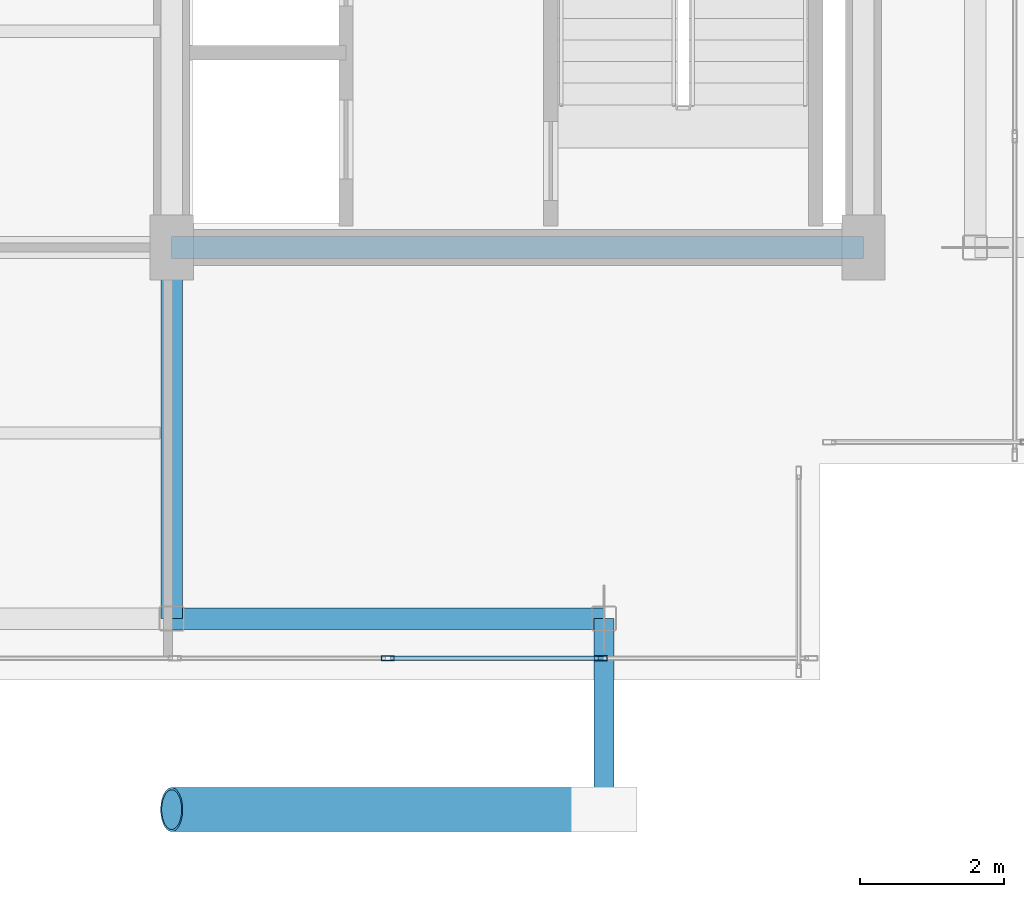
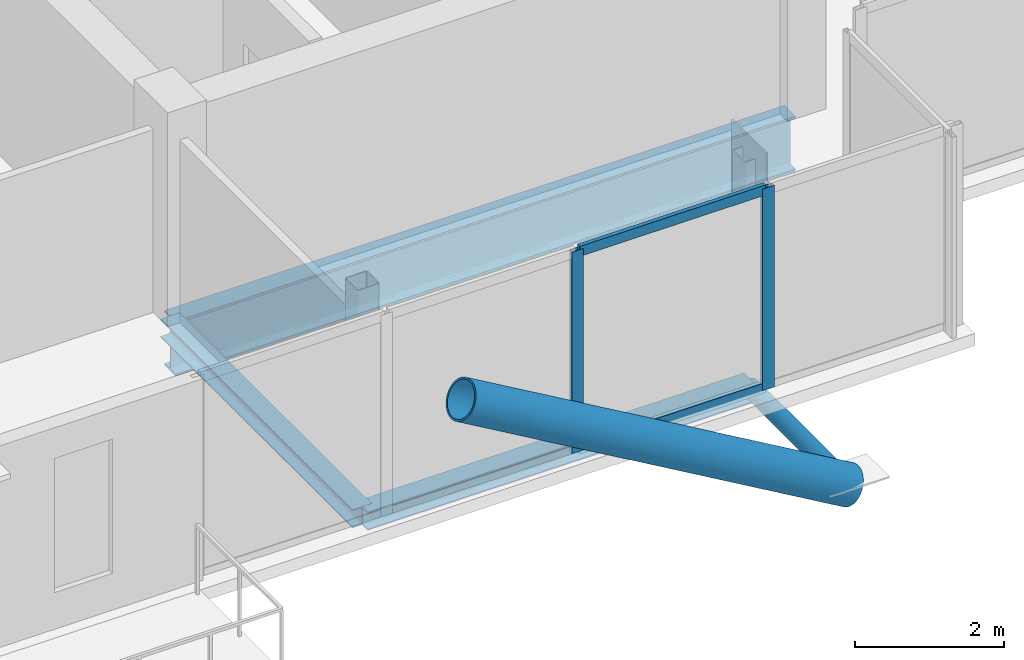
# One storey, part 5 of 18: 6 members, 3 beams, 1 element without a shape of its own.
"""IFC4 building model written with IfcOpenShell, lengths in metres."""

from ifc_helpers import new_model, si_unit, direction, frame, origin, origin_2d, place, context, subcontext, project, spatial, hollow_rectangle, hollow_circle, i_section, extrude, material, layer, layer_set, material_profile, profile_set, type_object, element, aggregate, save


model = new_model("IFC4")

# Units and contexts
model_context = context("Model", 3, precision=1e-05, world=origin(), true_north=direction((0.0, 1.0)))
body_context = subcontext(model_context, "Body", "Model", "MODEL_VIEW")
ifc_project = project(units=[si_unit("LENGTHUNIT", "METRE"), si_unit("AREAUNIT", "SQUARE_METRE"), si_unit("VOLUMEUNIT", "CUBIC_METRE"), si_unit("PLANEANGLEUNIT", "RADIAN"), si_unit("MASSUNIT", "GRAM", prefix="KILO"), si_unit("THERMODYNAMICTEMPERATUREUNIT", "KELVIN"), si_unit("POWERUNIT", "WATT")], contexts=[model_context])

# Site, building, storey
site_placement = place(None, origin())
site = spatial("IfcSite", under=ifc_project, at=site_placement, CompositionType="ELEMENT")
building_placement = place(site_placement, origin())
building = spatial("IfcBuilding", under=site, at=building_placement, Name="Svarakhadi Broadcast Tower", CompositionType="ELEMENT")
storey_placement = place(building_placement, frame((0.0, 0.0, 264.199951171875)))
storey = spatial("IfcBuildingStorey", under=building, at=storey_placement, Name="L66", CompositionType="ELEMENT", Elevation=264.199951171875)

# Curtain wall, members
ifc_material_1 = material(Name="Anodised Bronze Aluminium AA 6063-T6", Category="aluminium")
ifc_layer = layer(ifc_material_1, 0.179931640625)
ifc_layer_set = layer_set([ifc_layer], Name="Anodised Bronze Aluminium AA 6063-T6")
curtain_wall_type = type_object("IfcCurtainWallType", Name="CW_Sys_05", PredefinedType="NOTDEFINED", material=ifc_layer_set)
curtain_wall_placement = place(storey_placement, origin())
curtain_wall = element("IfcCurtainWall", 1, at=curtain_wall_placement, inside=storey, type_object=curtain_wall_type, Name="L66 South Curtain Wall 16", PredefinedType="NOTDEFINED")
ifc_material_profile_1 = material_profile(ifc_material_1, hollow_rectangle(XDim=0.070068359375, YDim=0.179931640625, WallThickness=0.005615234375, at=origin_2d()), Name="ALU MULLION 180x70x6")
ifc_profile_set_1 = profile_set([ifc_material_profile_1], Name="Anodised Bronze Aluminium AA 6063-T6")
member_type_1 = type_object("IfcMemberType", Name="CW_Sys_05_Mul", PredefinedType="MULLION", material=ifc_profile_set_1)
member_1_placement = place(storey_placement, frame((29.955078125, 0.300048828125, 0.0), z_axis=(0.0, 0.0, 1.0), x_axis=(0.0, -1.0, 0.0)))
member_1 = element("IfcMember", 2, at=member_1_placement, type_object=member_type_1, Name="CW-05 mullion 2", PredefinedType="MULLION", context=body_context, shape_type="SweptSolid", body=[
    extrude(hollow_rectangle(XDim=0.070068359375, YDim=0.179931640625, WallThickness=0.005615234375, at=origin_2d()), origin(), (0.0, 0.0, 1.0), 3.300048828125),
])
member_2_placement = place(storey_placement, frame((27.0, 0.300048828125, 0.0), z_axis=(0.0, 0.0, 1.0), x_axis=(0.0, -1.0, 0.0)))
member_2 = element("IfcMember", 3, at=member_2_placement, type_object=member_type_1, Name="CW-05 mullion 3", PredefinedType="MULLION", context=body_context, shape_type="SweptSolid", body=[
    extrude(hollow_rectangle(XDim=0.070068359375, YDim=0.179931640625, WallThickness=0.005615234375, at=origin_2d()), origin(), (0.0, 0.0, 1.0), 3.300048828125),
])
ifc_material_profile_2 = material_profile(ifc_material_1, hollow_rectangle(XDim=0.06494140625, YDim=0.1650390625, WallThickness=0.0048828125, at=origin_2d()), Name="ALU TRANSOM 165x65x5")
ifc_profile_set_2 = profile_set([ifc_material_profile_2], Name="Anodised Bronze Aluminium AA 6063-T6")
member_type_2 = type_object("IfcMemberType", Name="CW_Sys_05_Trn", PredefinedType="USERDEFINED", material=ifc_profile_set_2)
member_3_placement = place(storey_placement, frame((29.919921875, 0.300048828125, 0.032470703125), z_axis=(-1.0, 0.0, 0.0), x_axis=(0.0, -1.0, 0.0)))
member_3 = element("IfcMember", 4, at=member_3_placement, type_object=member_type_2, Name="CW-05 transom 2.1", ObjectType="TRANSOM", PredefinedType="USERDEFINED", context=body_context, shape_type="SweptSolid", body=[
    extrude(hollow_rectangle(XDim=0.06494140625, YDim=0.1650390625, WallThickness=0.0048828125, at=origin_2d()), origin(), (0.0, 0.0, 1.0), 2.885009765625),
])
member_4_placement = place(storey_placement, frame((29.919921875, 0.300048828125, 3.267578125), z_axis=(-1.0, 0.0, 0.0), x_axis=(0.0, -1.0, 0.0)))
member_4 = element("IfcMember", 5, at=member_4_placement, type_object=member_type_2, Name="CW-05 transom 2.2", ObjectType="TRANSOM", PredefinedType="USERDEFINED", context=body_context, shape_type="SweptSolid", body=[
    extrude(hollow_rectangle(XDim=0.06494140625, YDim=0.1650390625, WallThickness=0.0048828125, at=origin_2d()), origin(), (0.0, 0.0, 1.0), 2.885009765625),
])
aggregate(curtain_wall, [member_1, member_2, member_3, member_4])

# Members
ifc_material_2 = material(Name="Steel S460ML (IS 2062 E450BR)", Category="steel")
ifc_material_profile_3 = material_profile(ifc_material_2, hollow_circle(Radius=0.304931640625, WallThickness=0.030029296875, at=origin_2d()), Name="CHS 610x30")
ifc_profile_set_3 = profile_set([ifc_material_profile_3], Name="Steel S460ML (IS 2062 E450BR)")
member_type_3 = type_object("IfcMemberType", Name="Exo_Brace_CHS610", PredefinedType="BRACE", material=ifc_profile_set_3)
member_5_placement = place(storey_placement, frame((30.0, -1.800048828125, -0.33642578125), z_axis=(-0.863778900898, 0.0, 0.503871025524), x_axis=(0.0, -1.0, 0.0)))
element("IfcMember", 6, at=member_5_placement, inside=storey, type_object=member_type_3, Name="L66 Exposed Bronze Exoskeleton Diagonal S01", PredefinedType="BRACE", context=body_context, shape_type="SweptSolid", body=[
    extrude(hollow_circle(Radius=0.304931640625, WallThickness=0.030029296875, at=origin_2d()), origin(), (0.0, 0.0, 1.0), 6.9462890625),
])
ifc_material_profile_4 = material_profile(ifc_material_2, hollow_circle(Radius=0.136474609375, WallThickness=0.012451171875, at=origin_2d()), Name="CHS 273x12.5")
ifc_profile_set_4 = profile_set([ifc_material_profile_4], Name="Steel S460ML (IS 2062 E450BR)")
member_type_4 = type_object("IfcMemberType", Name="Exo_Radial_Strut_Z3", PredefinedType="STRUT", material=ifc_profile_set_4)
member_6_placement = place(storey_placement, frame((30.0, -1.800048828125, -0.33642578125), z_axis=(0.0, 1.0, 0.0), x_axis=(-1.0, 0.0, 0.0)))
element("IfcMember", 7, at=member_6_placement, inside=storey, type_object=member_type_4, Name="L66 Exoskeleton Radial Tie Strut S03", PredefinedType="STRUT", context=body_context, shape_type="SweptSolid", body=[
    extrude(hollow_circle(Radius=0.136474609375, WallThickness=0.012451171875, at=origin_2d()), origin(), (0.0, 0.0, 1.0), 2.650146484375),
])

# Beams
ifc_material_3 = material(Name="Steel S355J2 (IS 2062 E350C)", Category="steel")
ifc_material_profile_5 = material_profile(ifc_material_3, i_section(OverallWidth=0.300048828125, OverallDepth=0.300048828125, WebThickness=0.010986328125, FlangeThickness=0.01904296875, FilletRadius=0.027099609375, at=origin_2d()), Name="WPB 300x300x117")
ifc_profile_set_5 = profile_set([ifc_material_profile_5], Name="Steel S355J2 (IS 2062 E350C)")
beam_type_1 = type_object("IfcBeamType", Name="Girder_WPB300", PredefinedType="USERDEFINED", material=ifc_profile_set_5)
beam_1_placement = place(storey_placement, frame((24.0, 0.85009765625, -0.349853515625), z_axis=(1.0, 0.0, 0.0), x_axis=(0.0, 1.0, 0.0)))
element("IfcBeam", 8, at=beam_1_placement, inside=storey, type_object=beam_type_1, Name="L66 Primary E-W Girder G007", ObjectType="GIRDER", PredefinedType="USERDEFINED", context=body_context, shape_type="SweptSolid", body=[
    extrude(i_section(OverallWidth=0.300048828125, OverallDepth=0.300048828125, WebThickness=0.010986328125, FlangeThickness=0.01904296875, FilletRadius=0.027099609375, at=origin_2d()), origin(), (0.0, 0.0, 1.0), 6.0),
])
beam_2_placement = place(storey_placement, frame((24.0, 0.85009765625, -0.349853515625), z_axis=(0.0, 1.0, 0.0), x_axis=(-1.0, 0.0, 0.0)))
element("IfcBeam", 9, at=beam_2_placement, inside=storey, type_object=beam_type_1, Name="L66 Primary N-S Girder G040", ObjectType="GIRDER", PredefinedType="USERDEFINED", context=body_context, shape_type="SweptSolid", body=[
    extrude(i_section(OverallWidth=0.300048828125, OverallDepth=0.300048828125, WebThickness=0.010986328125, FlangeThickness=0.01904296875, FilletRadius=0.027099609375, at=origin_2d()), origin(), (0.0, 0.0, 1.0), 5.14990234375),
])
ifc_material_profile_6 = material_profile(ifc_material_2, i_section(OverallWidth=0.300048828125, OverallDepth=0.89990234375, WebThickness=0.0185546875, FlangeThickness=0.034912109375, FilletRadius=0.030029296875, at=origin_2d()), Name="WPB 900x300x291")
ifc_profile_set_6 = profile_set([ifc_material_profile_6], Name="Steel S460ML (IS 2062 E450BR)")
beam_type_2 = type_object("IfcBeamType", Name="Girder_WPB900", PredefinedType="USERDEFINED", material=ifc_profile_set_6)
beam_3_placement = place(storey_placement, frame((24.0, 6.0, -0.64990234375), z_axis=(1.0, 0.0, 0.0), x_axis=(0.0, 1.0, 0.0)))
element("IfcBeam", 10, at=beam_3_placement, inside=storey, type_object=beam_type_2, Name="L66 Primary E-W Girder G012", ObjectType="GIRDER", PredefinedType="USERDEFINED", context=body_context, shape_type="SweptSolid", body=[
    extrude(i_section(OverallWidth=0.300048828125, OverallDepth=0.89990234375, WebThickness=0.0185546875, FlangeThickness=0.034912109375, FilletRadius=0.030029296875, at=origin_2d()), origin(), (0.0, 0.0, 1.0), 9.60009765625),
])

save(model, "model.ifc")
